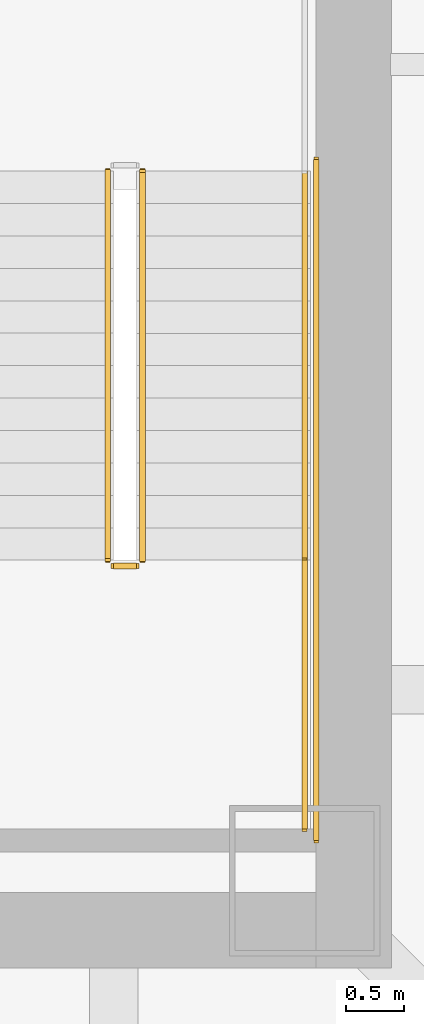
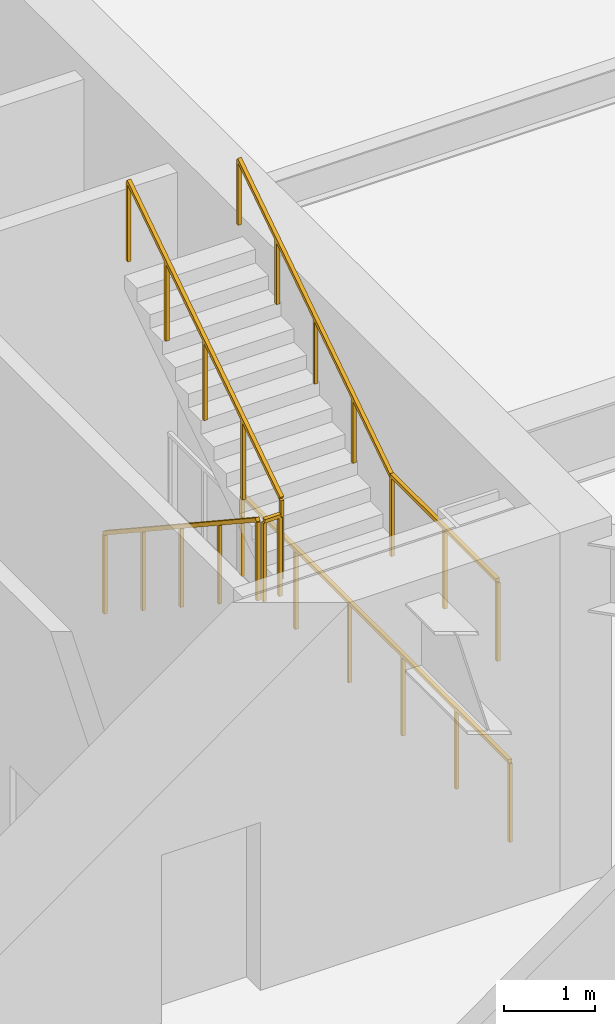
# One storey, part 38 of 44: 6 railings.
"""IFC4 building model written with IfcOpenShell, lengths in metres."""

from ifc_helpers import new_model, si_unit, direction, frame, origin, origin_2d, place, context, subcontext, project, spatial, rectangle, extrude, material, type_object, element, save


model = new_model("IFC4")

# Units and contexts
model_context = context("Model", 3, precision=1e-05, world=origin(), true_north=direction((0.0, 1.0)))
body_context = subcontext(model_context, "Body", "Model", "MODEL_VIEW")
ifc_project = project(units=[si_unit("LENGTHUNIT", "METRE"), si_unit("AREAUNIT", "SQUARE_METRE"), si_unit("VOLUMEUNIT", "CUBIC_METRE"), si_unit("PLANEANGLEUNIT", "RADIAN"), si_unit("MASSUNIT", "GRAM", prefix="KILO")], contexts=[model_context])

# Site, building, storey
site_placement = place(None, origin())
site = spatial("IfcSite", under=ifc_project, at=site_placement, CompositionType="ELEMENT")
building_placement = place(site_placement, origin())
building = spatial("IfcBuilding", under=site, at=building_placement, Name="Tashvorn Skyway Center", CompositionType="ELEMENT")
storey_placement = place(building_placement, frame((0.0, 0.0, 5.39990234375)))
storey = spatial("IfcBuildingStorey", under=building, at=storey_placement, Name="L01", CompositionType="ELEMENT", Elevation=5.39990234375)

# Railings
ifc_material_1 = material(Name="Brushed stainless steel 316", Category="steel")
railing_type_1 = type_object("IfcRailingType", Name="RAIL-HAND-920", PredefinedType="HANDRAIL", material=ifc_material_1)
railing_1_placement = place(storey_placement, frame((49.050048828125, 27.719970703125, 2.584716796875)))
element("IfcRailing", 1, at=railing_1_placement, inside=storey, type_object=railing_type_1, Name="L01 ST-T1-2 stair handrail 2", PredefinedType="HANDRAIL", context=body_context, shape_type="SweptSolid", body=[
    extrude(rectangle(XDim=0.048095703125, YDim=0.048095703125, at=origin_2d()), frame((0.0, 0.0, 0.8759765625), z_axis=(0.0, 0.834876476806, 0.550437342915), x_axis=(-1.0, 0.0, 0.0)), (0.0, 0.0, 1.0), 4.024658203125),
    extrude(rectangle(XDim=0.0419921875, YDim=0.0419921875, at=origin_2d()), origin(), (0.0, 0.0, 1.0), 0.851806640625),
    extrude(rectangle(XDim=0.0419921875, YDim=0.0419921875, at=origin_2d()), frame((0.0, 0.840087890625, 0.5537109375)), (0.0, 0.0, 1.0), 0.851806640625),
    extrude(rectangle(XDim=0.0419921875, YDim=0.0419921875, at=origin_2d()), frame((0.0, 1.68017578125, 1.107666015625)), (0.0, 0.0, 1.0), 0.851806640625),
    extrude(rectangle(XDim=0.0419921875, YDim=0.0419921875, at=origin_2d()), frame((0.0, 2.52001953125, 1.66162109375)), (0.0, 0.0, 1.0), 0.851806640625),
    extrude(rectangle(XDim=0.0419921875, YDim=0.0419921875, at=origin_2d()), frame((0.0, 3.360107421875, 2.21533203125)), (0.0, 0.0, 1.0), 0.851806640625),
])
ifc_material_2 = material(Name="Painted galvanized steel S355", Category="steel")
railing_type_2 = type_object("IfcRailingType", Name="RAIL-STGUARD-1100", PredefinedType="GUARDRAIL", material=ifc_material_2)
railing_2_placement = place(storey_placement, frame((47.35009765625, 31.080078125, 0.184814453125)))
element("IfcRailing", 2, at=railing_2_placement, inside=storey, type_object=railing_type_2, Name="L01 ST-T1-2 stair guard 1", PredefinedType="GUARDRAIL", context=body_context, shape_type="SweptSolid", body=[
    extrude(rectangle(XDim=0.048095703125, YDim=0.048095703125, at=origin_2d()), frame((0.0, 0.0, 1.076171875), z_axis=(0.0, -0.834876476806, 0.550437342915), x_axis=(1.0, 0.0, 0.0)), (0.0, 0.0, 1.0), 4.024658203125),
    extrude(rectangle(XDim=0.0419921875, YDim=0.0419921875, at=origin_2d()), origin(), (0.0, 0.0, 1.0), 1.052001953125),
    extrude(rectangle(XDim=0.0419921875, YDim=0.0419921875, at=origin_2d()), frame((0.0, -0.840087890625, 0.5537109375)), (0.0, 0.0, 1.0), 1.052001953125),
    extrude(rectangle(XDim=0.0419921875, YDim=0.0419921875, at=origin_2d()), frame((0.0, -1.68017578125, 1.107666015625)), (0.0, 0.0, 1.0), 1.052001953125),
    extrude(rectangle(XDim=0.0419921875, YDim=0.0419921875, at=origin_2d()), frame((0.0, -2.52001953125, 1.66162109375)), (0.0, 0.0, 1.0), 1.052001953125),
    extrude(rectangle(XDim=0.0419921875, YDim=0.0419921875, at=origin_2d()), frame((0.0, -3.360107421875, 2.21533203125)), (0.0, 0.0, 1.0), 1.052001953125),
])
railing_3_placement = place(storey_placement, frame((47.39990234375, 27.669921875, 2.400146484375)))
element("IfcRailing", 3, at=railing_3_placement, inside=storey, type_object=railing_type_2, Name="L01 ST-T1-2 stair guard 2", PredefinedType="GUARDRAIL", context=body_context, shape_type="SweptSolid", body=[
    extrude(rectangle(XDim=0.048095703125, YDim=0.048095703125, at=origin_2d()), frame((0.0, 0.0, 1.076171875), z_axis=(1.0, 0.0, 0.0), x_axis=(0.0, 1.0, 0.0)), (0.0, 0.0, 1.0), 0.2001953125),
    extrude(rectangle(XDim=0.0419921875, YDim=0.0419921875, at=origin_2d()), origin(), (0.0, 0.0, 1.0), 1.052001953125),
    extrude(rectangle(XDim=0.0419921875, YDim=0.0419921875, at=origin_2d()), frame((0.2001953125, 0.0, 0.0)), (0.0, 0.0, 1.0), 1.052001953125),
])
railing_4_placement = place(storey_placement, frame((49.050048828125, 27.719970703125, 2.400146484375)))
element("IfcRailing", 4, at=railing_4_placement, inside=storey, type_object=railing_type_2, Name="L01 ST-T1-2 stair guard 3", PredefinedType="GUARDRAIL", context=body_context, shape_type="SweptSolid", body=[
    extrude(rectangle(XDim=0.048095703125, YDim=0.048095703125, at=origin_2d()), frame((0.0, 0.0, 1.076171875), z_axis=(0.0, -1.0, 0.0), x_axis=(1.0, 0.0, 0.0)), (0.0, 0.0, 1.0), 2.320068359375),
    extrude(rectangle(XDim=0.0419921875, YDim=0.0419921875, at=origin_2d()), origin(), (0.0, 0.0, 1.0), 1.052001953125),
    extrude(rectangle(XDim=0.0419921875, YDim=0.0419921875, at=origin_2d()), frame((0.0, -1.16015625, 0.0)), (0.0, 0.0, 1.0), 1.052001953125),
    extrude(rectangle(XDim=0.0419921875, YDim=0.0419921875, at=origin_2d()), frame((0.0, -2.320068359375, 0.0)), (0.0, 0.0, 1.0), 1.052001953125),
])
railing_5_placement = place(storey_placement, frame((47.64990234375, 27.719970703125, 2.584716796875)))
element("IfcRailing", 5, at=railing_5_placement, inside=storey, type_object=railing_type_2, Name="L01 ST-T1-2 stair guard 4", PredefinedType="GUARDRAIL", context=body_context, shape_type="SweptSolid", body=[
    extrude(rectangle(XDim=0.048095703125, YDim=0.048095703125, at=origin_2d()), frame((0.0, 0.0, 1.076171875), z_axis=(0.0, 0.834876476806, 0.550437342915), x_axis=(-1.0, 0.0, 0.0)), (0.0, 0.0, 1.0), 4.024658203125),
    extrude(rectangle(XDim=0.0419921875, YDim=0.0419921875, at=origin_2d()), origin(), (0.0, 0.0, 1.0), 1.052001953125),
    extrude(rectangle(XDim=0.0419921875, YDim=0.0419921875, at=origin_2d()), frame((0.0, 0.840087890625, 0.5537109375)), (0.0, 0.0, 1.0), 1.052001953125),
    extrude(rectangle(XDim=0.0419921875, YDim=0.0419921875, at=origin_2d()), frame((0.0, 1.68017578125, 1.107666015625)), (0.0, 0.0, 1.0), 1.052001953125),
    extrude(rectangle(XDim=0.0419921875, YDim=0.0419921875, at=origin_2d()), frame((0.0, 2.52001953125, 1.66162109375)), (0.0, 0.0, 1.0), 1.052001953125),
    extrude(rectangle(XDim=0.0419921875, YDim=0.0419921875, at=origin_2d()), frame((0.0, 3.360107421875, 2.21533203125)), (0.0, 0.0, 1.0), 1.052001953125),
])
railing_6_placement = place(storey_placement, frame((49.14990234375, 31.179931640625, 0.0)))
element("IfcRailing", 6, at=railing_6_placement, inside=storey, type_object=railing_type_2, Name="L01 ST-T1-2 stair guard 7", PredefinedType="GUARDRAIL", context=body_context, shape_type="SweptSolid", body=[
    extrude(rectangle(XDim=0.048095703125, YDim=0.048095703125, at=origin_2d()), frame((0.0, 0.0, 1.076171875), z_axis=(0.0, -1.0, 0.0), x_axis=(1.0, 0.0, 0.0)), (0.0, 0.0, 1.0), 5.8798828125),
    extrude(rectangle(XDim=0.0419921875, YDim=0.0419921875, at=origin_2d()), origin(), (0.0, 0.0, 1.0), 1.052001953125),
    extrude(rectangle(XDim=0.0419921875, YDim=0.0419921875, at=origin_2d()), frame((0.0, -1.176025390625, 0.0)), (0.0, 0.0, 1.0), 1.052001953125),
    extrude(rectangle(XDim=0.0419921875, YDim=0.0419921875, at=origin_2d()), frame((0.0, -2.35205078125, 0.0)), (0.0, 0.0, 1.0), 1.052001953125),
    extrude(rectangle(XDim=0.0419921875, YDim=0.0419921875, at=origin_2d()), frame((0.0, -3.52783203125, 0.0)), (0.0, 0.0, 1.0), 1.052001953125),
    extrude(rectangle(XDim=0.0419921875, YDim=0.0419921875, at=origin_2d()), frame((0.0, -4.703857421875, 0.0)), (0.0, 0.0, 1.0), 1.052001953125),
    extrude(rectangle(XDim=0.0419921875, YDim=0.0419921875, at=origin_2d()), frame((0.0, -5.8798828125, 0.0)), (0.0, 0.0, 1.0), 1.052001953125),
])

save(model, "model.ifc")
